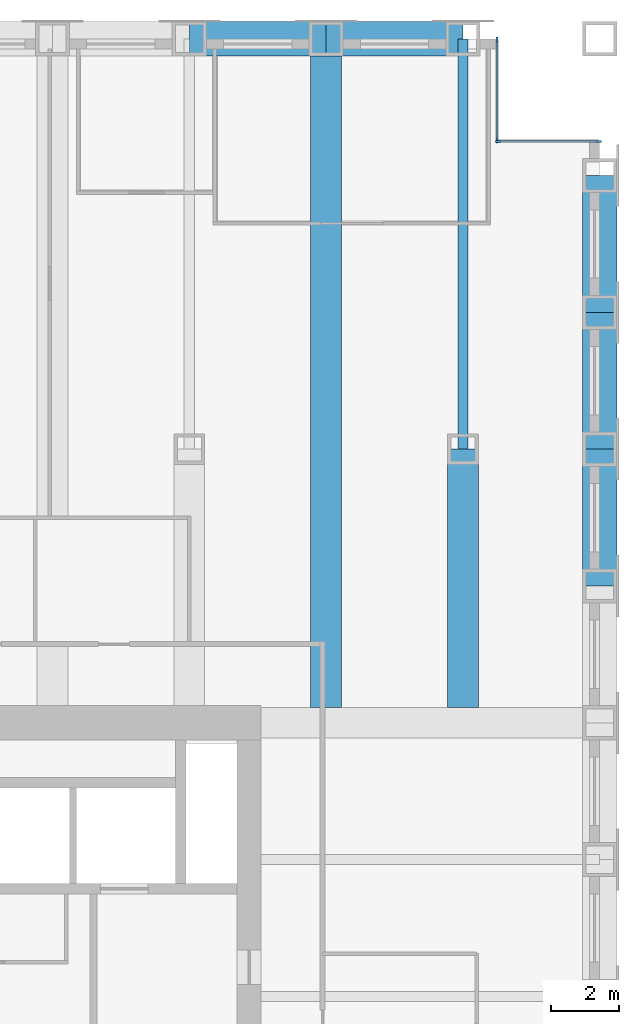
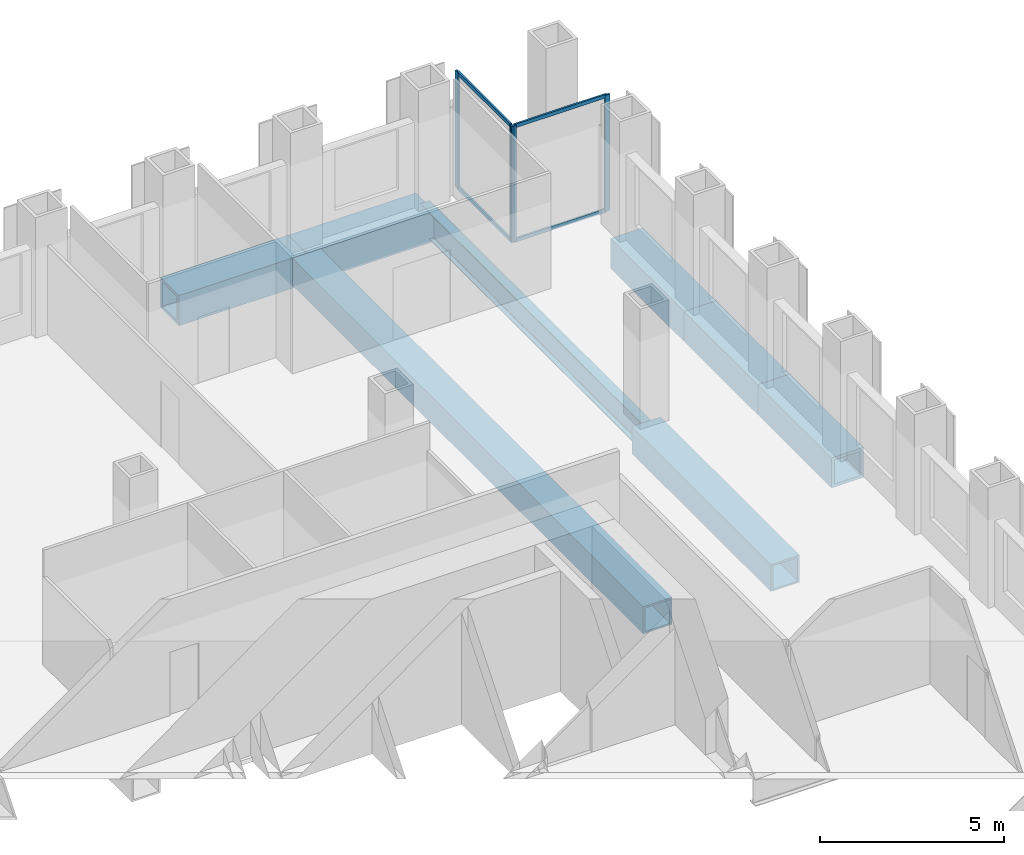
# One storey, part 7 of 13: 8 beams, 8 members, 2 elements without a shape of their own.
"""IFC4 building model written with IfcOpenShell, lengths in metres."""

from ifc_helpers import new_model, si_unit, direction, frame, origin, origin_2d, place, context, subcontext, project, spatial, rectangle, hollow_rectangle, i_section, extrude, material, material_profile, profile_set, type_object, element, aggregate, save


model = new_model("IFC4")

# Units and contexts
model_context = context("Model", 3, precision=1e-05, world=origin(), true_north=direction((0.0, 1.0)))
body_context = subcontext(model_context, "Body", "Model", "MODEL_VIEW")
ifc_project = project(units=[si_unit("LENGTHUNIT", "METRE"), si_unit("AREAUNIT", "SQUARE_METRE"), si_unit("VOLUMEUNIT", "CUBIC_METRE"), si_unit("PLANEANGLEUNIT", "RADIAN"), si_unit("MASSUNIT", "GRAM", prefix="KILO")], contexts=[model_context])

# Site, building, storey
site_placement = place(None, origin())
site = spatial("IfcSite", under=ifc_project, at=site_placement, CompositionType="ELEMENT")
building_placement = place(site_placement, origin())
building = spatial("IfcBuilding", under=site, at=building_placement, Name="Rimbunsela Tower", CompositionType="ELEMENT")
storey_placement = place(building_placement, frame((0.0, 0.0, 195.800048828125)))
storey = spatial("IfcBuildingStorey", under=building, at=storey_placement, Name="L47", CompositionType="ELEMENT", Elevation=195.800048828125)

# Beams
ifc_material_1 = material(Name="Steel BJ 55 (fy 410 MPa)", Category="steel")
ifc_material_profile_1 = material_profile(ifc_material_1, hollow_rectangle(XDim=1.0, YDim=1.0, WallThickness=0.10009765625, at=origin_2d()), Name="BOX 1000x1000x100")
ifc_profile_set_1 = profile_set([ifc_material_profile_1], Name="Steel BJ 55 (fy 410 MPa)")
beam_type_1 = type_object("IfcBeamType", Name="Beam BOX 1000x1000x100", PredefinedType="BEAM", material=ifc_profile_set_1)
for number, where, z_axis, x_axis, name in (
    (1, (34.0, 56.0, -0.650146484375), (1.0, 0.0, 0.0), (0.0, 1.0, 0.0), "Beam B3 L47"),
    (2, (38.0, 56.0, -0.650146484375), (1.0, 0.0, 0.0), (0.0, 1.0, 0.0), "Beam B3 L47"),
    (3, (46.0, 40.0, -0.650146484375), (0.0, 1.0, 0.0), (-1.0, 0.0, 0.0), "Beam B3 L47"),
    (4, (46.0, 44.0, -0.650146484375), (0.0, 1.0, 0.0), (-1.0, 0.0, 0.0), "Beam B3 L47"),
    (5, (46.0, 48.0, -0.650146484375), (0.0, 1.0, 0.0), (-1.0, 0.0, 0.0), "Beam B3 L47"),
):
    element("IfcBeam", number, at=place(storey_placement, frame(where, z_axis=z_axis, x_axis=x_axis)), inside=storey, type_object=beam_type_1, Name=name, PredefinedType="BEAM", context=body_context, shape_type="SweptSolid", body=[
        extrude(hollow_rectangle(XDim=1.0, YDim=1.0, WallThickness=0.10009765625, at=origin_2d()), origin(), (0.0, 0.0, 1.0), 4.0),
    ])
ifc_material_2 = material(Name="Steel BJ 55 (fy 410 MPa)", Category="steel")
ifc_material_profile_2 = material_profile(ifc_material_2, hollow_rectangle(XDim=0.89990234375, YDim=0.89990234375, WallThickness=0.06005859375, at=origin_2d()), Name="BOX 900x900x60")
ifc_profile_set_2 = profile_set([ifc_material_profile_2], Name="Steel BJ 55 (fy 410 MPa)")
beam_type_2 = type_object("IfcBeamType", Name="Beam BOX 900x900x60", PredefinedType="BEAM", material=ifc_profile_set_2)
beam_1_placement = place(storey_placement, frame((38.0, 36.449951171875, -0.60009765625), z_axis=(0.0, 1.0, 0.0), x_axis=(-1.0, 0.0, 0.0)))
element("IfcBeam", 6, at=beam_1_placement, inside=storey, type_object=beam_type_2, Name="Beam B1 L47", PredefinedType="BEAM", context=body_context, shape_type="SweptSolid", body=[
    extrude(hollow_rectangle(XDim=0.89990234375, YDim=0.89990234375, WallThickness=0.06005859375, at=origin_2d()), origin(), (0.0, 0.0, 1.0), 19.550048828125),
])
beam_2_placement = place(storey_placement, frame((42.0, 36.449951171875, -0.60009765625), z_axis=(0.0, 1.0, 0.0), x_axis=(-1.0, 0.0, 0.0)))
element("IfcBeam", 7, at=beam_2_placement, inside=storey, type_object=beam_type_2, Name="Beam B1 L47", PredefinedType="BEAM", context=body_context, shape_type="SweptSolid", body=[
    extrude(hollow_rectangle(XDim=0.89990234375, YDim=0.89990234375, WallThickness=0.06005859375, at=origin_2d()), origin(), (0.0, 0.0, 1.0), 7.550048828125),
])
ifc_material_3 = material(Name="Steel BJ 55 (fy 410 MPa)", Category="steel")
ifc_material_profile_3 = material_profile(ifc_material_3, i_section(OverallWidth=0.300048828125, OverallDepth=0.89990234375, WebThickness=0.01611328125, FlangeThickness=0.028076171875, FilletRadius=0.028076171875, at=origin_2d()), Name="H 900x300x16x28")
ifc_profile_set_3 = profile_set([ifc_material_profile_3], Name="Steel BJ 55 (fy 410 MPa)")
beam_type_3 = type_object("IfcBeamType", Name="Beam H 900x300x16x28", PredefinedType="BEAM", material=ifc_profile_set_3)
beam_3_placement = place(storey_placement, frame((42.0, 44.0, -0.60009765625), z_axis=(0.0, 1.0, 0.0), x_axis=(-1.0, 0.0, 0.0)))
element("IfcBeam", 8, at=beam_3_placement, inside=storey, type_object=beam_type_3, Name="Beam B2 L47", PredefinedType="BEAM", context=body_context, shape_type="SweptSolid", body=[
    extrude(i_section(OverallWidth=0.300048828125, OverallDepth=0.89990234375, WebThickness=0.01611328125, FlangeThickness=0.028076171875, FilletRadius=0.028076171875, at=origin_2d()), origin(), (0.0, 0.0, 1.0), 12.0),
])

# Curtain wall, members
ifc_material_4 = material(Name="Aluminium curtain wall", Category="aluminium")
curtain_wall_type = type_object("IfcCurtainWallType", Name="Corner glazing", PredefinedType="USERDEFINED", material=ifc_material_4)
curtain_wall_1_placement = place(storey_placement, origin())
curtain_wall_1 = element("IfcCurtainWall", 9, at=curtain_wall_1_placement, inside=storey, type_object=curtain_wall_type, Name="Corner glazing L47", ObjectType="CORNER GLAZING", PredefinedType="USERDEFINED")
ifc_material_5 = material(Name="Aluminium mullion", Category="aluminium")
ifc_material_profile_4 = material_profile(ifc_material_5, rectangle(XDim=0.06005859375, YDim=0.159912109375, at=origin_2d()), Name="Mullion 60x160")
ifc_profile_set_4 = profile_set([ifc_material_profile_4], Name="Aluminium mullion")
member_type_1 = type_object("IfcMemberType", Name="Curtain wall mullion 60x160", PredefinedType="MULLION", material=ifc_profile_set_4)
member_1_placement = place(storey_placement, frame((45.969970703125, 53.0, 0.0), z_axis=(0.0, 0.0, 1.0), x_axis=(0.0, -1.0, 0.0)))
member_1 = element("IfcMember", 10, at=member_1_placement, type_object=member_type_1, Name="CW5 mullion 1", PredefinedType="MULLION", context=body_context, shape_type="SweptSolid", body=[
    extrude(rectangle(XDim=0.06005859375, YDim=0.159912109375, at=origin_2d()), origin(), (0.0, 0.0, 1.0), 3.849853515625),
])
member_2_placement = place(storey_placement, frame((43.030029296875, 53.0, 0.0), z_axis=(0.0, 0.0, 1.0), x_axis=(0.0, -1.0, 0.0)))
member_2 = element("IfcMember", 11, at=member_2_placement, type_object=member_type_1, Name="CW5 mullion 2", PredefinedType="MULLION", context=body_context, shape_type="SweptSolid", body=[
    extrude(rectangle(XDim=0.06005859375, YDim=0.159912109375, at=origin_2d()), origin(), (0.0, 0.0, 1.0), 3.849853515625),
])

curtain_wall_2_placement = place(storey_placement, origin())
curtain_wall_2 = element("IfcCurtainWall", 12, at=curtain_wall_2_placement, inside=storey, type_object=curtain_wall_type, Name="Corner glazing L47", ObjectType="CORNER GLAZING", PredefinedType="USERDEFINED")
member_3_placement = place(storey_placement, frame((43.0, 53.030029296875, 0.0), z_axis=(0.0, 0.0, 1.0), x_axis=(-1.0, 0.0, 0.0)))
member_3 = element("IfcMember", 13, at=member_3_placement, type_object=member_type_1, Name="CW5 mullion 1", PredefinedType="MULLION", context=body_context, shape_type="SweptSolid", body=[
    extrude(rectangle(XDim=0.06005859375, YDim=0.159912109375, at=origin_2d()), origin(), (0.0, 0.0, 1.0), 3.849853515625),
])
member_4_placement = place(storey_placement, frame((43.0, 55.969970703125, 0.0), z_axis=(0.0, 0.0, 1.0), x_axis=(-1.0, 0.0, 0.0)))
member_4 = element("IfcMember", 14, at=member_4_placement, type_object=member_type_1, Name="CW5 mullion 2", PredefinedType="MULLION", context=body_context, shape_type="SweptSolid", body=[
    extrude(rectangle(XDim=0.06005859375, YDim=0.159912109375, at=origin_2d()), origin(), (0.0, 0.0, 1.0), 3.849853515625),
])

# Member
ifc_material_6 = material(Name="Aluminium transom", Category="aluminium")
ifc_material_profile_5 = material_profile(ifc_material_6, rectangle(XDim=0.06005859375, YDim=0.1201171875, at=origin_2d()), Name="Transom 60x120")
ifc_profile_set_5 = profile_set([ifc_material_profile_5], Name="Aluminium transom")
member_type_2 = type_object("IfcMemberType", Name="Curtain wall transom 60x120", PredefinedType="USERDEFINED", material=ifc_profile_set_5)
member_5_placement = place(storey_placement, frame((45.93994140625, 53.0, 0.030029296875), z_axis=(-1.0, 0.0, 0.0), x_axis=(0.0, -1.0, 0.0)))
member_5 = element("IfcMember", 15, at=member_5_placement, type_object=member_type_2, Name="CW5 transom 1.1", ObjectType="TRANSOM", PredefinedType="USERDEFINED", context=body_context, shape_type="SweptSolid", body=[
    extrude(rectangle(XDim=0.06005859375, YDim=0.1201171875, at=origin_2d()), origin(), (0.0, 0.0, 1.0), 2.8798828125),
])

member_6_placement = place(storey_placement, frame((45.93994140625, 53.0, 3.820068359375), z_axis=(-1.0, 0.0, 0.0), x_axis=(0.0, -1.0, 0.0)))
member_6 = element("IfcMember", 16, at=member_6_placement, type_object=member_type_2, Name="CW5 transom 1.2", ObjectType="TRANSOM", PredefinedType="USERDEFINED", context=body_context, shape_type="SweptSolid", body=[
    extrude(rectangle(XDim=0.06005859375, YDim=0.1201171875, at=origin_2d()), origin(), (0.0, 0.0, 1.0), 2.8798828125),
])

aggregate(curtain_wall_1, [member_1, member_2, member_5, member_6])

member_7_placement = place(storey_placement, frame((43.0, 53.06005859375, 0.030029296875), z_axis=(0.0, 1.0, 0.0), x_axis=(-1.0, 0.0, 0.0)))
member_7 = element("IfcMember", 17, at=member_7_placement, type_object=member_type_2, Name="CW5 transom 1.1", ObjectType="TRANSOM", PredefinedType="USERDEFINED", context=body_context, shape_type="SweptSolid", body=[
    extrude(rectangle(XDim=0.06005859375, YDim=0.1201171875, at=origin_2d()), origin(), (0.0, 0.0, 1.0), 2.8798828125),
])

member_8_placement = place(storey_placement, frame((43.0, 53.06005859375, 3.820068359375), z_axis=(0.0, 1.0, 0.0), x_axis=(-1.0, 0.0, 0.0)))
member_8 = element("IfcMember", 18, at=member_8_placement, type_object=member_type_2, Name="CW5 transom 1.2", ObjectType="TRANSOM", PredefinedType="USERDEFINED", context=body_context, shape_type="SweptSolid", body=[
    extrude(rectangle(XDim=0.06005859375, YDim=0.1201171875, at=origin_2d()), origin(), (0.0, 0.0, 1.0), 2.8798828125),
])

aggregate(curtain_wall_2, [member_3, member_4, member_7, member_8])

save(model, "model.ifc")
